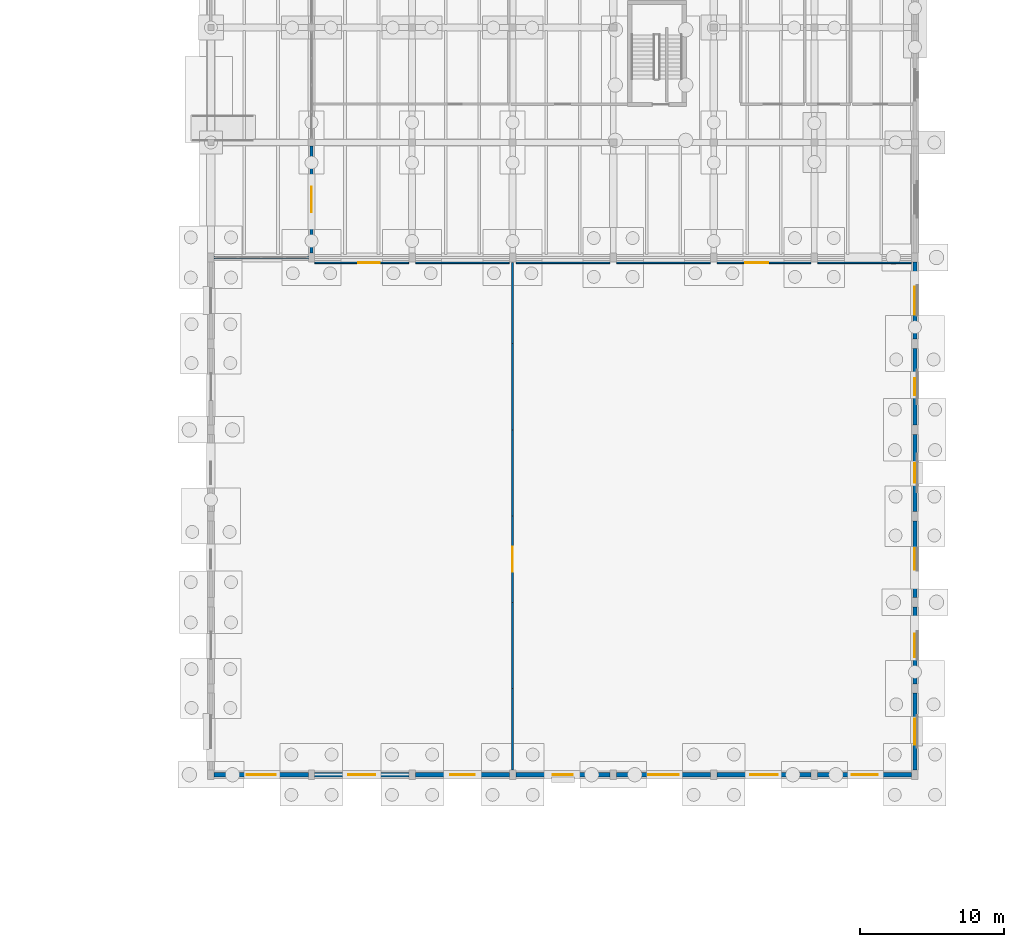
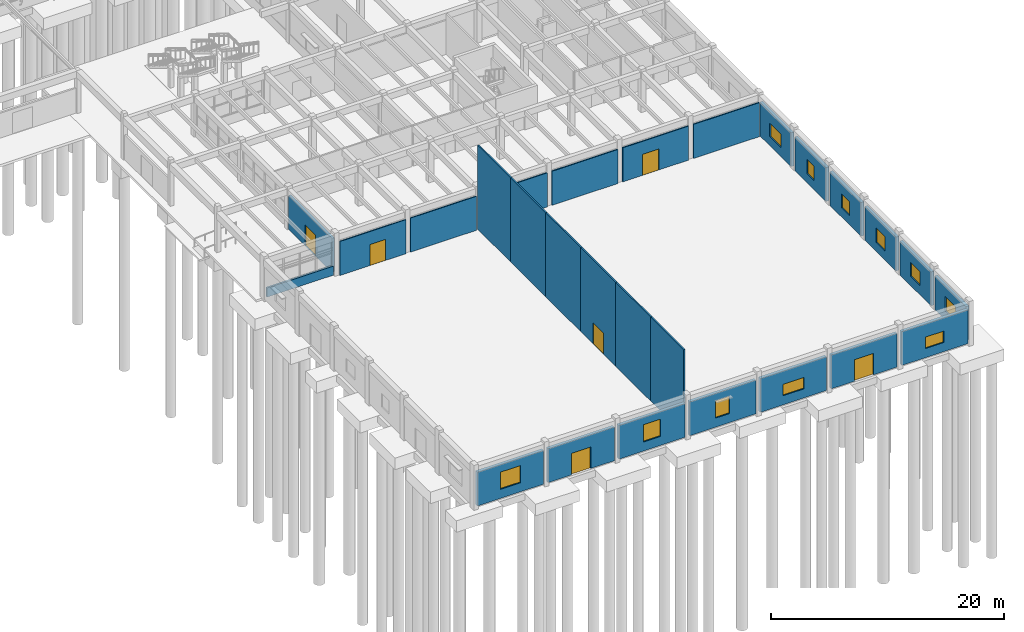
# One storey, part 68 of 99: 27 walls, 11 windows, 6 doors, 17 openings.
"""IFC4 building model written with IfcOpenShell, lengths in metres."""

from ifc_helpers import new_model, si_unit, direction, frame, frame_2d, origin, place, context, subcontext, project, spatial, rectangle, extrude, material, layer, layer_set, type_object, element, fill, save


model = new_model("IFC4")

# Units and contexts
model_context = context("Model", 3, precision=1e-05, world=origin(), true_north=direction((0.0, 1.0)))
body_context = subcontext(model_context, "Body", "Model", "MODEL_VIEW")
ifc_project = project(units=[si_unit("LENGTHUNIT", "METRE"), si_unit("AREAUNIT", "SQUARE_METRE"), si_unit("VOLUMEUNIT", "CUBIC_METRE"), si_unit("PLANEANGLEUNIT", "RADIAN"), si_unit("MASSUNIT", "GRAM", prefix="KILO")], contexts=[model_context])

# Site, building, storey
site_placement = place(None, origin())
site = spatial("IfcSite", under=ifc_project, at=site_placement, CompositionType="ELEMENT")
building_placement = place(site_placement, origin())
building = spatial("IfcBuilding", under=site, at=building_placement, Name="Tonlespit Floodbar School", CompositionType="ELEMENT")
storey_placement = place(building_placement, origin())
storey = spatial("IfcBuildingStorey", under=building, at=storey_placement, Name="L00", CompositionType="ELEMENT", Elevation=0.0)

# Wall, opening, window
ifc_material_1 = material(Name="Precast concrete C40/50", Category="concrete")
ifc_layer_1 = layer(ifc_material_1, 0.2900390625)
ifc_layer_set_1 = layer_set([ifc_layer_1], Name="Precast concrete C40/50")
wall_type_1 = type_object("IfcWallType", Name="ExtWall_Hall_Acoustic_290", PredefinedType="SOLIDWALL", material=ifc_layer_set_1)
wall_1_placement = place(storey_placement, frame((175.77490234375, 20.0, 0.0), z_axis=(0.0, 0.0, 1.0), x_axis=(-1.0, 0.0, 0.0)))
wall_1 = element("IfcWall", 1, at=wall_1_placement, inside=storey, type_object=wall_type_1, Name="L00 external wall 0454", PredefinedType="SOLIDWALL", context=body_context, shape_type="SweptSolid", body=[
    extrude(rectangle(XDim=6.5498046875, YDim=0.2900390625, at=frame_2d((3.27490234375, 0.0))), origin(), (0.0, 0.0, 1.0), 3.5400390625),
])
opening_1_placement = place(wall_1_placement, frame((2.375, 0.0, 0.949951171875)))
opening_1 = element("IfcOpeningElement", 2, at=opening_1_placement, cuts=wall_1, Name="Opening W-L00-055", PredefinedType="OPENING", context=body_context, shape_type="SweptSolid", body=[
    extrude(rectangle(XDim=1.800048828125, YDim=1.199951171875, at=frame_2d((0.89990234375, 0.60009765625))), frame((0.0, 0.155029296875, 0.0), z_axis=(0.0, -1.0, 0.0), x_axis=(1.0, 0.0, 0.0)), (0.0, 0.0, 1.0), 0.31005859375),
])
ifc_material_2 = material(Name="Tempered Double Glazing", Category="glass")
window_type_1 = type_object("IfcWindowType", Name="Win_Mod_1800x1200", PartitioningType="DOUBLE_PANEL_VERTICAL", PredefinedType="WINDOW", material=ifc_material_2)
window_1_placement = place(opening_1_placement, origin())
window_1 = element("IfcWindow", 3, at=window_1_placement, inside=storey, type_object=window_type_1, Name="L00 window W-L00-055", OverallHeight=1.199951171875, OverallWidth=1.800048828125, PartitioningType="DOUBLE_PANEL_VERTICAL", PredefinedType="WINDOW", context=body_context, shape_type="SweptSolid", body=[
    extrude(rectangle(XDim=1.800048828125, YDim=1.199951171875, at=frame_2d((0.89990234375, 0.60009765625))), frame((0.0, 0.030029296875, 0.0), z_axis=(0.0, -1.0, 0.0), x_axis=(1.0, 0.0, 0.0)), (0.0, 0.0, 1.0), 0.06005859375),
])
fill(opening_1, window_1)

# Wall, opening, door
wall_2_placement = place(storey_placement, frame((168.77490234375, 20.0, 0.0), z_axis=(0.0, 0.0, 1.0), x_axis=(-1.0, 0.0, 0.0)))
wall_2 = element("IfcWall", 4, at=wall_2_placement, inside=storey, type_object=wall_type_1, Name="L00 external wall 0456", PredefinedType="SOLIDWALL", context=body_context, shape_type="SweptSolid", body=[
    extrude(rectangle(XDim=6.5498046875, YDim=0.2900390625, at=frame_2d((3.27490234375, 0.0))), origin(), (0.0, 0.0, 1.0), 3.5400390625),
])
opening_2_placement = place(wall_2_placement, frame((2.324951171875, 0.0, 0.0)))
opening_2 = element("IfcOpeningElement", 5, at=opening_2_placement, cuts=wall_2, Name="Opening D-EX-021", PredefinedType="OPENING", context=body_context, shape_type="SweptSolid", body=[
    extrude(rectangle(XDim=1.89990234375, YDim=2.25, at=frame_2d((0.949951171875, 1.125))), frame((0.0, 0.155029296875, 0.0), z_axis=(0.0, -1.0, 0.0), x_axis=(1.0, 0.0, 0.0)), (0.0, 0.0, 1.0), 0.31005859375),
])
ifc_material_3 = material(Name="Anodised Aluminium", Category="aluminium")
door_type_1 = type_object("IfcDoorType", Name="ExtDoor_Exit_1900x2250", OperationType="NOTDEFINED", PredefinedType="DOOR", material=ifc_material_3)
door_1_placement = place(opening_2_placement, origin())
door_1 = element("IfcDoor", 6, at=door_1_placement, inside=storey, type_object=door_type_1, Name="Final exit door D-EX-021", OperationType="SINGLE_SWING_LEFT", OverallHeight=2.25, OverallWidth=1.89990234375, PredefinedType="DOOR", context=body_context, shape_type="SweptSolid", body=[
    extrude(rectangle(XDim=1.89990234375, YDim=2.25, at=frame_2d((0.949951171875, 1.125))), frame((0.0, 0.02490234375, 0.0), z_axis=(0.0, -1.0, 0.0), x_axis=(1.0, 0.0, 0.0)), (0.0, 0.0, 1.0), 0.050048828125),
])
fill(opening_2, door_1)

# Wall, opening, window
wall_3_placement = place(storey_placement, frame((161.77490234375, 20.0, 0.0), z_axis=(0.0, 0.0, 1.0), x_axis=(-1.0, 0.0, 0.0)))
wall_3 = element("IfcWall", 7, at=wall_3_placement, inside=storey, type_object=wall_type_1, Name="L00 external wall 0458", PredefinedType="SOLIDWALL", context=body_context, shape_type="SweptSolid", body=[
    extrude(rectangle(XDim=6.5498046875, YDim=0.2900390625, at=frame_2d((3.27490234375, 0.0))), origin(), (0.0, 0.0, 1.0), 3.5400390625),
])
opening_3_placement = place(wall_3_placement, frame((2.22509765625, 0.0, 0.949951171875)))
opening_3 = element("IfcOpeningElement", 8, at=opening_3_placement, cuts=wall_3, Name="Opening W-L00-056", PredefinedType="OPENING", context=body_context, shape_type="SweptSolid", body=[
    extrude(rectangle(XDim=2.10009765625, YDim=1.199951171875, at=frame_2d((1.050048828125, 0.60009765625))), frame((0.0, 0.155029296875, 0.0), z_axis=(0.0, -1.0, 0.0), x_axis=(1.0, 0.0, 0.0)), (0.0, 0.0, 1.0), 0.31005859375),
])
window_type_2 = type_object("IfcWindowType", Name="Win_Mod_2100x1200", PartitioningType="DOUBLE_PANEL_VERTICAL", PredefinedType="WINDOW", material=ifc_material_2)
window_2_placement = place(opening_3_placement, origin())
window_2 = element("IfcWindow", 9, at=window_2_placement, inside=storey, type_object=window_type_2, Name="L00 window W-L00-056", OverallHeight=1.199951171875, OverallWidth=2.10009765625, PartitioningType="DOUBLE_PANEL_VERTICAL", PredefinedType="WINDOW", context=body_context, shape_type="SweptSolid", body=[
    extrude(rectangle(XDim=2.10009765625, YDim=1.199951171875, at=frame_2d((1.050048828125, 0.60009765625))), frame((0.0, 0.030029296875, 0.0), z_axis=(0.0, -1.0, 0.0), x_axis=(1.0, 0.0, 0.0)), (0.0, 0.0, 1.0), 0.06005859375),
])
fill(opening_3, window_2)

wall_4_placement = place(storey_placement, frame((154.77490234375, 20.0, 0.0), z_axis=(0.0, 0.0, 1.0), x_axis=(-1.0, 0.0, 0.0)))
wall_4 = element("IfcWall", 10, at=wall_4_placement, inside=storey, type_object=wall_type_1, Name="L00 external wall 0460", PredefinedType="SOLIDWALL", context=body_context, shape_type="SweptSolid", body=[
    extrude(rectangle(XDim=6.5498046875, YDim=0.2900390625, at=frame_2d((3.27490234375, 0.0))), origin(), (0.0, 0.0, 1.0), 3.5400390625),
])
opening_4_placement = place(wall_4_placement, frame((2.574951171875, 0.0, 0.949951171875)))
opening_4 = element("IfcOpeningElement", 11, at=opening_4_placement, cuts=wall_4, Name="Opening W-L00-057", PredefinedType="OPENING", context=body_context, shape_type="SweptSolid", body=[
    extrude(rectangle(XDim=1.39990234375, YDim=1.800048828125, at=frame_2d((0.699951171875, 0.89990234375))), frame((0.0, 0.155029296875, 0.0), z_axis=(0.0, -1.0, 0.0), x_axis=(1.0, 0.0, 0.0)), (0.0, 0.0, 1.0), 0.31005859375),
])
window_type_3 = type_object("IfcWindowType", Name="Win_Mod_1400x1800", PartitioningType="SINGLE_PANEL", PredefinedType="WINDOW", material=ifc_material_2)
window_3_placement = place(opening_4_placement, origin())
window_3 = element("IfcWindow", 12, at=window_3_placement, inside=storey, type_object=window_type_3, Name="L00 window W-L00-057", OverallHeight=1.800048828125, OverallWidth=1.39990234375, PartitioningType="SINGLE_PANEL", PredefinedType="WINDOW", context=body_context, shape_type="SweptSolid", body=[
    extrude(rectangle(XDim=1.39990234375, YDim=1.800048828125, at=frame_2d((0.699951171875, 0.89990234375))), frame((0.0, 0.030029296875, 0.0), z_axis=(0.0, -1.0, 0.0), x_axis=(1.0, 0.0, 0.0)), (0.0, 0.0, 1.0), 0.06005859375),
])
fill(opening_4, window_3)

wall_5_placement = place(storey_placement, frame((147.77490234375, 20.0, 0.0), z_axis=(0.0, 0.0, 1.0), x_axis=(-1.0, 0.0, 0.0)))
wall_5 = element("IfcWall", 13, at=wall_5_placement, inside=storey, type_object=wall_type_1, Name="L00 external wall 0462", PredefinedType="SOLIDWALL", context=body_context, shape_type="SweptSolid", body=[
    extrude(rectangle(XDim=6.5498046875, YDim=0.2900390625, at=frame_2d((3.27490234375, 0.0))), origin(), (0.0, 0.0, 1.0), 3.5400390625),
])
opening_5_placement = place(wall_5_placement, frame((2.425048828125, 0.0, 0.949951171875)))
opening_5 = element("IfcOpeningElement", 14, at=opening_5_placement, cuts=wall_5, Name="Opening W-L00-058", PredefinedType="OPENING", context=body_context, shape_type="SweptSolid", body=[
    extrude(rectangle(XDim=1.699951171875, YDim=1.800048828125, at=frame_2d((0.85009765625, 0.89990234375))), frame((0.0, 0.155029296875, 0.0), z_axis=(0.0, -1.0, 0.0), x_axis=(1.0, 0.0, 0.0)), (0.0, 0.0, 1.0), 0.31005859375),
])
window_type_4 = type_object("IfcWindowType", Name="Win_Mod_1700x1800", PartitioningType="DOUBLE_PANEL_VERTICAL", PredefinedType="WINDOW", material=ifc_material_2)
window_4_placement = place(opening_5_placement, origin())
window_4 = element("IfcWindow", 15, at=window_4_placement, inside=storey, type_object=window_type_4, Name="L00 window W-L00-058", OverallHeight=1.800048828125, OverallWidth=1.699951171875, PartitioningType="DOUBLE_PANEL_VERTICAL", PredefinedType="WINDOW", context=body_context, shape_type="SweptSolid", body=[
    extrude(rectangle(XDim=1.699951171875, YDim=1.800048828125, at=frame_2d((0.85009765625, 0.89990234375))), frame((0.0, 0.030029296875, 0.0), z_axis=(0.0, -1.0, 0.0), x_axis=(1.0, 0.0, 0.0)), (0.0, 0.0, 1.0), 0.06005859375),
])
fill(opening_5, window_4)

# Wall, opening, door
wall_6_placement = place(storey_placement, frame((140.77490234375, 20.0, 0.0), z_axis=(0.0, 0.0, 1.0), x_axis=(-1.0, 0.0, 0.0)))
wall_6 = element("IfcWall", 16, at=wall_6_placement, inside=storey, type_object=wall_type_1, Name="L00 external wall 0464", PredefinedType="SOLIDWALL", context=body_context, shape_type="SweptSolid", body=[
    extrude(rectangle(XDim=6.5498046875, YDim=0.2900390625, at=frame_2d((3.27490234375, 0.0))), origin(), (0.0, 0.0, 1.0), 3.5400390625),
])
opening_6_placement = place(wall_6_placement, frame((2.324951171875, 0.0, 0.0)))
opening_6 = element("IfcOpeningElement", 17, at=opening_6_placement, cuts=wall_6, Name="Opening D-EX-022", PredefinedType="OPENING", context=body_context, shape_type="SweptSolid", body=[
    extrude(rectangle(XDim=1.89990234375, YDim=2.25, at=frame_2d((0.949951171875, 1.125))), frame((0.0, 0.155029296875, 0.0), z_axis=(0.0, -1.0, 0.0), x_axis=(1.0, 0.0, 0.0)), (0.0, 0.0, 1.0), 0.31005859375),
])
door_2_placement = place(opening_6_placement, origin())
door_2 = element("IfcDoor", 18, at=door_2_placement, inside=storey, type_object=door_type_1, Name="Final exit door D-EX-022", OperationType="SINGLE_SWING_RIGHT", OverallHeight=2.25, OverallWidth=1.89990234375, PredefinedType="DOOR", context=body_context, shape_type="SweptSolid", body=[
    extrude(rectangle(XDim=1.89990234375, YDim=2.25, at=frame_2d((0.949951171875, 1.125))), frame((0.0, 0.02490234375, 0.0), z_axis=(0.0, -1.0, 0.0), x_axis=(1.0, 0.0, 0.0)), (0.0, 0.0, 1.0), 0.050048828125),
])
fill(opening_6, door_2)

# Wall, opening, window
wall_7_placement = place(storey_placement, frame((133.77490234375, 20.0, 0.0), z_axis=(0.0, 0.0, 1.0), x_axis=(-1.0, 0.0, 0.0)))
wall_7 = element("IfcWall", 19, at=wall_7_placement, inside=storey, type_object=wall_type_1, Name="L00 external wall 0466", PredefinedType="SOLIDWALL", context=body_context, shape_type="SweptSolid", body=[
    extrude(rectangle(XDim=6.5498046875, YDim=0.2900390625, at=frame_2d((3.27490234375, 0.0))), origin(), (0.0, 0.0, 1.0), 3.5400390625),
])
opening_7_placement = place(wall_7_placement, frame((2.27490234375, 0.0, 0.949951171875)))
opening_7 = element("IfcOpeningElement", 20, at=opening_7_placement, cuts=wall_7, Name="Opening W-L00-059", PredefinedType="OPENING", context=body_context, shape_type="SweptSolid", body=[
    extrude(rectangle(XDim=2.0, YDim=1.800048828125, at=frame_2d((1.0, 0.89990234375))), frame((0.0, 0.155029296875, 0.0), z_axis=(0.0, -1.0, 0.0), x_axis=(1.0, 0.0, 0.0)), (0.0, 0.0, 1.0), 0.31005859375),
])
window_type_5 = type_object("IfcWindowType", Name="Win_Mod_2000x1800", PartitioningType="DOUBLE_PANEL_VERTICAL", PredefinedType="WINDOW", material=ifc_material_2)
window_5_placement = place(opening_7_placement, origin())
window_5 = element("IfcWindow", 21, at=window_5_placement, inside=storey, type_object=window_type_5, Name="L00 window W-L00-059", OverallHeight=1.800048828125, OverallWidth=2.0, PartitioningType="DOUBLE_PANEL_VERTICAL", PredefinedType="WINDOW", context=body_context, shape_type="SweptSolid", body=[
    extrude(rectangle(XDim=2.0, YDim=1.800048828125, at=frame_2d((1.0, 0.89990234375))), frame((0.0, 0.030029296875, 0.0), z_axis=(0.0, -1.0, 0.0), x_axis=(1.0, 0.0, 0.0)), (0.0, 0.0, 1.0), 0.06005859375),
])
fill(opening_7, window_5)

wall_8_placement = place(storey_placement, frame((176.0, 55.675048828125, 0.0), z_axis=(0.0, 0.0, 1.0), x_axis=(0.0, -1.0, 0.0)))
wall_8 = element("IfcWall", 22, at=wall_8_placement, inside=storey, type_object=wall_type_1, Name="L00 external wall 0480", PredefinedType="SOLIDWALL", context=body_context, shape_type="SweptSolid", body=[
    extrude(rectangle(XDim=5.35009765625, YDim=0.2900390625, at=frame_2d((2.675048828125, 0.0))), origin(), (0.0, 0.0, 1.0), 3.5400390625),
])
opening_8_placement = place(wall_8_placement, frame((1.699951171875, 0.0, 0.949951171875)))
opening_8 = element("IfcOpeningElement", 23, at=opening_8_placement, cuts=wall_8, Name="Opening W-L00-064", PredefinedType="OPENING", context=body_context, shape_type="SweptSolid", body=[
    extrude(rectangle(XDim=1.949951171875, YDim=1.39990234375, at=frame_2d((0.97509765625, 0.699951171875))), frame((0.0, 0.155029296875, 0.0), z_axis=(0.0, -1.0, 0.0), x_axis=(1.0, 0.0, 0.0)), (0.0, 0.0, 1.0), 0.31005859375),
])
window_type_6 = type_object("IfcWindowType", Name="Win_Mod_1950x1400", PartitioningType="DOUBLE_PANEL_VERTICAL", PredefinedType="WINDOW", material=ifc_material_2)
window_6_placement = place(opening_8_placement, origin())
window_6 = element("IfcWindow", 24, at=window_6_placement, inside=storey, type_object=window_type_6, Name="L00 window W-L00-064", OverallHeight=1.39990234375, OverallWidth=1.949951171875, PartitioningType="DOUBLE_PANEL_VERTICAL", PredefinedType="WINDOW", context=body_context, shape_type="SweptSolid", body=[
    extrude(rectangle(XDim=1.949951171875, YDim=1.39990234375, at=frame_2d((0.97509765625, 0.699951171875))), frame((0.0, 0.030029296875, 0.0), z_axis=(0.0, -1.0, 0.0), x_axis=(1.0, 0.0, 0.0)), (0.0, 0.0, 1.0), 0.06005859375),
])
fill(opening_8, window_6)

wall_9_placement = place(storey_placement, frame((176.0, 49.675048828125, 0.0), z_axis=(0.0, 0.0, 1.0), x_axis=(0.0, -1.0, 0.0)))
wall_9 = element("IfcWall", 25, at=wall_9_placement, inside=storey, type_object=wall_type_1, Name="L00 external wall 0482", PredefinedType="SOLIDWALL", context=body_context, shape_type="SweptSolid", body=[
    extrude(rectangle(XDim=5.35009765625, YDim=0.2900390625, at=frame_2d((2.675048828125, 0.0))), origin(), (0.0, 0.0, 1.0), 3.5400390625),
])
opening_9_placement = place(wall_9_placement, frame((2.074951171875, 0.0, 0.949951171875)))
opening_9 = element("IfcOpeningElement", 26, at=opening_9_placement, cuts=wall_9, Name="Opening W-L00-065", PredefinedType="OPENING", context=body_context, shape_type="SweptSolid", body=[
    extrude(rectangle(XDim=1.199951171875, YDim=1.5, at=frame_2d((0.60009765625, 0.75))), frame((0.0, 0.155029296875, 0.0), z_axis=(0.0, -1.0, 0.0), x_axis=(1.0, 0.0, 0.0)), (0.0, 0.0, 1.0), 0.31005859375),
])
window_type_7 = type_object("IfcWindowType", Name="Win_Mod_1200x1500", PartitioningType="SINGLE_PANEL", PredefinedType="WINDOW", material=ifc_material_2)
window_7_placement = place(opening_9_placement, origin())
window_7 = element("IfcWindow", 27, at=window_7_placement, inside=storey, type_object=window_type_7, Name="L00 window W-L00-065", OverallHeight=1.5, OverallWidth=1.199951171875, PartitioningType="SINGLE_PANEL", PredefinedType="WINDOW", context=body_context, shape_type="SweptSolid", body=[
    extrude(rectangle(XDim=1.199951171875, YDim=1.5, at=frame_2d((0.60009765625, 0.75))), frame((0.0, 0.030029296875, 0.0), z_axis=(0.0, -1.0, 0.0), x_axis=(1.0, 0.0, 0.0)), (0.0, 0.0, 1.0), 0.06005859375),
])
fill(opening_9, window_7)

wall_10_placement = place(storey_placement, frame((176.0, 43.675048828125, 0.0), z_axis=(0.0, 0.0, 1.0), x_axis=(0.0, -1.0, 0.0)))
wall_10 = element("IfcWall", 28, at=wall_10_placement, inside=storey, type_object=wall_type_1, Name="L00 external wall 0484", PredefinedType="SOLIDWALL", context=body_context, shape_type="SweptSolid", body=[
    extrude(rectangle(XDim=5.35009765625, YDim=0.2900390625, at=frame_2d((2.675048828125, 0.0))), origin(), (0.0, 0.0, 1.0), 3.5400390625),
])
opening_10_placement = place(wall_10_placement, frame((2.0, 0.0, 0.949951171875)))
opening_10 = element("IfcOpeningElement", 29, at=opening_10_placement, cuts=wall_10, Name="Opening W-L00-066", PredefinedType="OPENING", context=body_context, shape_type="SweptSolid", body=[
    extrude(rectangle(XDim=1.35009765625, YDim=1.5, at=frame_2d((0.675048828125, 0.75))), frame((0.0, 0.155029296875, 0.0), z_axis=(0.0, -1.0, 0.0), x_axis=(1.0, 0.0, 0.0)), (0.0, 0.0, 1.0), 0.31005859375),
])
window_type_8 = type_object("IfcWindowType", Name="Win_Mod_1350x1500", PartitioningType="SINGLE_PANEL", PredefinedType="WINDOW", material=ifc_material_2)
window_8_placement = place(opening_10_placement, origin())
window_8 = element("IfcWindow", 30, at=window_8_placement, inside=storey, type_object=window_type_8, Name="L00 window W-L00-066", OverallHeight=1.5, OverallWidth=1.35009765625, PartitioningType="SINGLE_PANEL", PredefinedType="WINDOW", context=body_context, shape_type="SweptSolid", body=[
    extrude(rectangle(XDim=1.35009765625, YDim=1.5, at=frame_2d((0.675048828125, 0.75))), frame((0.0, 0.030029296875, 0.0), z_axis=(0.0, -1.0, 0.0), x_axis=(1.0, 0.0, 0.0)), (0.0, 0.0, 1.0), 0.06005859375),
])
fill(opening_10, window_8)

wall_11_placement = place(storey_placement, frame((176.0, 37.675048828125, 0.0), z_axis=(0.0, 0.0, 1.0), x_axis=(0.0, -1.0, 0.0)))
wall_11 = element("IfcWall", 31, at=wall_11_placement, inside=storey, type_object=wall_type_1, Name="L00 external wall 0486", PredefinedType="SOLIDWALL", context=body_context, shape_type="SweptSolid", body=[
    extrude(rectangle(XDim=5.35009765625, YDim=0.2900390625, at=frame_2d((2.675048828125, 0.0))), origin(), (0.0, 0.0, 1.0), 3.5400390625),
])
opening_11_placement = place(wall_11_placement, frame((1.925048828125, 0.0, 0.949951171875)))
opening_11 = element("IfcOpeningElement", 32, at=opening_11_placement, cuts=wall_11, Name="Opening W-L00-067", PredefinedType="OPENING", context=body_context, shape_type="SweptSolid", body=[
    extrude(rectangle(XDim=1.5, YDim=1.5, at=frame_2d((0.75, 0.75))), frame((0.0, 0.155029296875, 0.0), z_axis=(0.0, -1.0, 0.0), x_axis=(1.0, 0.0, 0.0)), (0.0, 0.0, 1.0), 0.31005859375),
])
window_type_9 = type_object("IfcWindowType", Name="Win_Mod_1500x1500", PartitioningType="SINGLE_PANEL", PredefinedType="WINDOW", material=ifc_material_2)
window_9_placement = place(opening_11_placement, origin())
window_9 = element("IfcWindow", 33, at=window_9_placement, inside=storey, type_object=window_type_9, Name="L00 window W-L00-067", OverallHeight=1.5, OverallWidth=1.5, PartitioningType="SINGLE_PANEL", PredefinedType="WINDOW", context=body_context, shape_type="SweptSolid", body=[
    extrude(rectangle(XDim=1.5, YDim=1.5, at=frame_2d((0.75, 0.75))), frame((0.0, 0.030029296875, 0.0), z_axis=(0.0, -1.0, 0.0), x_axis=(1.0, 0.0, 0.0)), (0.0, 0.0, 1.0), 0.06005859375),
])
fill(opening_11, window_9)

wall_12_placement = place(storey_placement, frame((176.0, 31.675048828125, 0.0), z_axis=(0.0, 0.0, 1.0), x_axis=(0.0, -1.0, 0.0)))
wall_12 = element("IfcWall", 34, at=wall_12_placement, inside=storey, type_object=wall_type_1, Name="L00 external wall 0488", PredefinedType="SOLIDWALL", context=body_context, shape_type="SweptSolid", body=[
    extrude(rectangle(XDim=5.35009765625, YDim=0.2900390625, at=frame_2d((2.675048828125, 0.0))), origin(), (0.0, 0.0, 1.0), 3.5400390625),
])
opening_12_placement = place(wall_12_placement, frame((1.85009765625, 0.0, 0.949951171875)))
opening_12 = element("IfcOpeningElement", 35, at=opening_12_placement, cuts=wall_12, Name="Opening W-L00-068", PredefinedType="OPENING", context=body_context, shape_type="SweptSolid", body=[
    extrude(rectangle(XDim=1.64990234375, YDim=1.5, at=frame_2d((0.824951171875, 0.75))), frame((0.0, 0.155029296875, 0.0), z_axis=(0.0, -1.0, 0.0), x_axis=(1.0, 0.0, 0.0)), (0.0, 0.0, 1.0), 0.31005859375),
])
window_type_10 = type_object("IfcWindowType", Name="Win_Mod_1650x1500", PartitioningType="DOUBLE_PANEL_VERTICAL", PredefinedType="WINDOW", material=ifc_material_2)
window_10_placement = place(opening_12_placement, origin())
window_10 = element("IfcWindow", 36, at=window_10_placement, inside=storey, type_object=window_type_10, Name="L00 window W-L00-068", OverallHeight=1.5, OverallWidth=1.64990234375, PartitioningType="DOUBLE_PANEL_VERTICAL", PredefinedType="WINDOW", context=body_context, shape_type="SweptSolid", body=[
    extrude(rectangle(XDim=1.64990234375, YDim=1.5, at=frame_2d((0.824951171875, 0.75))), frame((0.0, 0.030029296875, 0.0), z_axis=(0.0, -1.0, 0.0), x_axis=(1.0, 0.0, 0.0)), (0.0, 0.0, 1.0), 0.06005859375),
])
fill(opening_12, window_10)

wall_13_placement = place(storey_placement, frame((176.0, 25.675048828125, 0.0), z_axis=(0.0, 0.0, 1.0), x_axis=(0.0, -1.0, 0.0)))
wall_13 = element("IfcWall", 37, at=wall_13_placement, inside=storey, type_object=wall_type_1, Name="L00 external wall 0490", PredefinedType="SOLIDWALL", context=body_context, shape_type="SweptSolid", body=[
    extrude(rectangle(XDim=5.35009765625, YDim=0.2900390625, at=frame_2d((2.675048828125, 0.0))), origin(), (0.0, 0.0, 1.0), 3.5400390625),
])
opening_13_placement = place(wall_13_placement, frame((1.77490234375, 0.0, 0.949951171875)))
opening_13 = element("IfcOpeningElement", 38, at=opening_13_placement, cuts=wall_13, Name="Opening W-L00-069", PredefinedType="OPENING", context=body_context, shape_type="SweptSolid", body=[
    extrude(rectangle(XDim=1.800048828125, YDim=1.5, at=frame_2d((0.89990234375, 0.75))), frame((0.0, 0.155029296875, 0.0), z_axis=(0.0, -1.0, 0.0), x_axis=(1.0, 0.0, 0.0)), (0.0, 0.0, 1.0), 0.31005859375),
])
window_type_11 = type_object("IfcWindowType", Name="Win_Mod_1800x1500", PartitioningType="DOUBLE_PANEL_VERTICAL", PredefinedType="WINDOW", material=ifc_material_2)
window_11_placement = place(opening_13_placement, origin())
window_11 = element("IfcWindow", 39, at=window_11_placement, inside=storey, type_object=window_type_11, Name="L00 window W-L00-069", OverallHeight=1.5, OverallWidth=1.800048828125, PartitioningType="DOUBLE_PANEL_VERTICAL", PredefinedType="WINDOW", context=body_context, shape_type="SweptSolid", body=[
    extrude(rectangle(XDim=1.800048828125, YDim=1.5, at=frame_2d((0.89990234375, 0.75))), frame((0.0, 0.030029296875, 0.0), z_axis=(0.0, -1.0, 0.0), x_axis=(1.0, 0.0, 0.0)), (0.0, 0.0, 1.0), 0.06005859375),
])
fill(opening_13, window_11)

# Wall, opening, door
ifc_layer_2 = layer(ifc_material_1, 0.239990234375)
ifc_layer_set_2 = layer_set([ifc_layer_2], Name="Precast concrete C40/50")
wall_type_2 = type_object("IfcWallType", Name="ExtWall_Rainscreen_240", PredefinedType="SOLIDWALL", material=ifc_layer_set_2)
wall_14_placement = place(storey_placement, frame((134.0, 56.324951171875, 0.0), z_axis=(0.0, 0.0, 1.0), x_axis=(0.0, 1.0, 0.0)))
wall_14 = element("IfcWall", 40, at=wall_14_placement, inside=storey, type_object=wall_type_2, Name="L00 external wall 0494", PredefinedType="SOLIDWALL", context=body_context, shape_type="SweptSolid", body=[
    extrude(rectangle(XDim=7.425048828125, YDim=0.239990234375, at=frame_2d((3.71240234375, 0.0))), origin(), (0.0, 0.0, 1.0), 3.56494140625),
])
opening_14_placement = place(wall_14_placement, frame((2.8125, 0.0, 0.0)))
opening_14 = element("IfcOpeningElement", 41, at=opening_14_placement, cuts=wall_14, Name="Opening D-EX-025", PredefinedType="OPENING", context=body_context, shape_type="SweptSolid", body=[
    extrude(rectangle(XDim=1.800048828125, YDim=2.199951171875, at=frame_2d((0.89990234375, 1.10009765625))), frame((0.0, 0.1298828125, 0.0), z_axis=(0.0, -1.0, 0.0), x_axis=(1.0, 0.0, 0.0)), (0.0, 0.0, 1.0), 0.260009765625),
])
door_type_2 = type_object("IfcDoorType", Name="ExtDoor_Exit_1800x2200", OperationType="NOTDEFINED", PredefinedType="DOOR", material=ifc_material_3)
door_3_placement = place(opening_14_placement, origin())
door_3 = element("IfcDoor", 42, at=door_3_placement, inside=storey, type_object=door_type_2, Name="Final exit door D-EX-025", OperationType="SINGLE_SWING_LEFT", OverallHeight=2.199951171875, OverallWidth=1.800048828125, PredefinedType="DOOR", context=body_context, shape_type="SweptSolid", body=[
    extrude(rectangle(XDim=1.800048828125, YDim=2.199951171875, at=frame_2d((0.89990234375, 1.10009765625))), frame((0.0, 0.02490234375, 0.0), z_axis=(0.0, -1.0, 0.0), x_axis=(1.0, 0.0, 0.0)), (0.0, 0.0, 1.0), 0.050048828125),
])
fill(opening_14, door_3)

# Walls
ifc_material_4 = material(Name="White Architectural Precast concrete C40/50", Category="concrete")
ifc_layer_3 = layer(ifc_material_4, 0.18505859375)
ifc_layer_set_3 = layer_set([ifc_layer_3], Name="White Architectural Precast concrete C40/50")
wall_type_3 = type_object("IfcWallType", Name="ExtWall_Spandrel_White_185", PredefinedType="SOLIDWALL", material=ifc_layer_set_3)
wall_15_placement = place(storey_placement, frame((127.22509765625, 56.0, 0.0), z_axis=(0.0, 0.0, 1.0), x_axis=(1.0, 0.0, 0.0)))
element("IfcWall", 43, at=wall_15_placement, inside=storey, type_object=wall_type_3, Name="L00 spandrel wall 0492", PredefinedType="SOLIDWALL", context=body_context, shape_type="SweptSolid", body=[
    extrude(rectangle(XDim=6.5498046875, YDim=0.18505859375, at=frame_2d((3.27490234375, 0.0))), origin(), (0.0, 0.0, 1.0), 0.949951171875),
])
ifc_material_5 = material(Name="Hardwood Timber", Category="wood")
ifc_layer_4 = layer(ifc_material_5, 0.14501953125)
ifc_layer_set_4 = layer_set([ifc_layer_4], Name="Hardwood Timber")
wall_type_4 = type_object("IfcWallType", Name="MovableWall_Acoustic_145", PredefinedType="MOVABLE", material=ifc_layer_set_4)
wall_16_placement = place(storey_placement, frame((148.0, 20.340087890625, 0.0), z_axis=(0.0, 0.0, 1.0), x_axis=(0.0, 1.0, 0.0)))
element("IfcWall", 44, at=wall_16_placement, inside=storey, type_object=wall_type_4, Name="L00 partition wall 0001", PredefinedType="MOVABLE", context=body_context, shape_type="SweptSolid", body=[
    extrude(rectangle(XDim=5.659912109375, YDim=0.14501953125, at=frame_2d((2.830078125, 0.0))), origin(), (0.0, 0.0, 1.0), 8.800048828125),
])
wall_17_placement = place(storey_placement, frame((148.0, 26.0, 0.0), z_axis=(0.0, 0.0, 1.0), x_axis=(0.0, 1.0, 0.0)))
element("IfcWall", 45, at=wall_17_placement, inside=storey, type_object=wall_type_4, Name="L00 partition wall 0002", PredefinedType="MOVABLE", context=body_context, shape_type="SweptSolid", body=[
    extrude(rectangle(XDim=6.0, YDim=0.14501953125, at=frame_2d((3.0, 0.0))), origin(), (0.0, 0.0, 1.0), 8.800048828125),
])

# Wall, opening, door
wall_18_placement = place(storey_placement, frame((148.0, 32.0, 0.0), z_axis=(0.0, 0.0, 1.0), x_axis=(0.0, 1.0, 0.0)))
wall_18 = element("IfcWall", 46, at=wall_18_placement, inside=storey, type_object=wall_type_4, Name="L00 partition wall 0003", PredefinedType="MOVABLE", context=body_context, shape_type="SweptSolid", body=[
    extrude(rectangle(XDim=6.0, YDim=0.14501953125, at=frame_2d((3.0, 0.0))), origin(), (0.0, 0.0, 1.0), 8.800048828125),
])
opening_15_placement = place(wall_18_placement, frame((2.1201171875, 0.0, 0.0)))
opening_15 = element("IfcOpeningElement", 47, at=opening_15_placement, cuts=wall_18, Name="Opening D-L00-001", PredefinedType="OPENING", context=body_context, shape_type="SweptSolid", body=[
    extrude(rectangle(XDim=1.760009765625, YDim=2.199951171875, at=frame_2d((0.8798828125, 1.10009765625))), frame((0.0, 0.08251953125, 0.0), z_axis=(0.0, -1.0, 0.0), x_axis=(1.0, 0.0, 0.0)), (0.0, 0.0, 1.0), 0.1650390625),
])
door_type_3 = type_object("IfcDoorType", Name="IntDoor_1760x2200", OperationType="NOTDEFINED", PredefinedType="DOOR", material=ifc_material_5)
door_4_placement = place(opening_15_placement, origin())
door_4 = element("IfcDoor", 48, at=door_4_placement, inside=storey, type_object=door_type_3, Name="L00 interior door D-L00-001", OperationType="SINGLE_SWING_RIGHT", OverallHeight=2.199951171875, OverallWidth=1.760009765625, PredefinedType="DOOR", context=body_context, shape_type="SweptSolid", body=[
    extrude(rectangle(XDim=1.760009765625, YDim=2.199951171875, at=frame_2d((0.8798828125, 1.10009765625))), frame((0.0, 0.02490234375, 0.0), z_axis=(0.0, -1.0, 0.0), x_axis=(1.0, 0.0, 0.0)), (0.0, 0.0, 1.0), 0.050048828125),
])
fill(opening_15, door_4)

# Walls
for number, where, z_axis, x_axis, name in (
    (49, (148.0, 38.0, 0.0), (0.0, 0.0, 1.0), (0.0, 1.0, 0.0), "L00 partition wall 0004"),
    (50, (148.0, 44.0, 0.0), (0.0, 0.0, 1.0), (0.0, 1.0, 0.0), "L00 partition wall 0005"),
):
    element("IfcWall", number, at=place(storey_placement, frame(where, z_axis=z_axis, x_axis=x_axis)), inside=storey, type_object=wall_type_4, Name=name, PredefinedType="MOVABLE", context=body_context, shape_type="SweptSolid", body=[
        extrude(rectangle(XDim=6.0, YDim=0.14501953125, at=frame_2d((3.0, 0.0))), origin(), (0.0, 0.0, 1.0), 8.800048828125),
    ])
wall_19_placement = place(storey_placement, frame((148.0, 50.0, 0.0), z_axis=(0.0, 0.0, 1.0), x_axis=(0.0, 1.0, 0.0)))
element("IfcWall", 51, at=wall_19_placement, inside=storey, type_object=wall_type_4, Name="L00 partition wall 0006", PredefinedType="MOVABLE", context=body_context, shape_type="SweptSolid", body=[
    extrude(rectangle(XDim=5.659912109375, YDim=0.14501953125, at=frame_2d((2.830078125, 0.0))), origin(), (0.0, 0.0, 1.0), 8.800048828125),
])

# Wall, opening, door
ifc_material_6 = material(Name="Gypsum Plasterboard Partition")
ifc_layer_5 = layer(ifc_material_6, 0.10009765625)
ifc_layer_set_5 = layer_set([ifc_layer_5], Name="Gypsum Plasterboard Partition")
wall_type_5 = type_object("IfcWallType", Name="Partition_Gyp_100", PredefinedType="PARTITIONING", material=ifc_layer_set_5)
wall_20_placement = place(storey_placement, frame((134.239990234375, 55.6298828125, 0.0), z_axis=(0.0, 0.0, 1.0), x_axis=(1.0, 0.0, 0.0)))
wall_20 = element("IfcWall", 52, at=wall_20_placement, inside=storey, type_object=wall_type_5, Name="L00 partition wall 0274", PredefinedType="PARTITIONING", context=body_context, shape_type="SweptSolid", body=[
    extrude(rectangle(XDim=6.52001953125, YDim=0.10009765625, at=frame_2d((3.260009765625, 0.0))), origin(), (0.0, 0.0, 1.0), 3.56494140625),
])
opening_16_placement = place(wall_20_placement, frame((3.0, 0.0, 0.0)))
opening_16 = element("IfcOpeningElement", 53, at=opening_16_placement, cuts=wall_20, Name="Opening D-L00-080", PredefinedType="OPENING", context=body_context, shape_type="SweptSolid", body=[
    extrude(rectangle(XDim=1.52001953125, YDim=2.199951171875, at=frame_2d((0.760009765625, 1.10009765625))), frame((0.0, 0.06005859375, 0.0), z_axis=(0.0, -1.0, 0.0), x_axis=(1.0, 0.0, 0.0)), (0.0, 0.0, 1.0), 0.1201171875),
])
door_type_4 = type_object("IfcDoorType", Name="IntDoor_1520x2200", OperationType="NOTDEFINED", PredefinedType="DOOR", material=ifc_material_5)
door_5_placement = place(opening_16_placement, origin())
door_5 = element("IfcDoor", 54, at=door_5_placement, inside=storey, type_object=door_type_4, Name="L00 interior door D-L00-080", OperationType="SINGLE_SWING_LEFT", OverallHeight=2.199951171875, OverallWidth=1.52001953125, PredefinedType="DOOR", context=body_context, shape_type="SweptSolid", body=[
    extrude(rectangle(XDim=1.52001953125, YDim=2.199951171875, at=frame_2d((0.760009765625, 1.10009765625))), frame((0.0, 0.02490234375, 0.0), z_axis=(0.0, -1.0, 0.0), x_axis=(1.0, 0.0, 0.0)), (0.0, 0.0, 1.0), 0.050048828125),
])
fill(opening_16, door_5)

# Walls
wall_21_placement = place(storey_placement, frame((141.239990234375, 55.6298828125, 0.0), z_axis=(0.0, 0.0, 1.0), x_axis=(1.0, 0.0, 0.0)))
element("IfcWall", 55, at=wall_21_placement, inside=storey, type_object=wall_type_5, Name="L00 partition wall 0275", PredefinedType="PARTITIONING", context=body_context, shape_type="SweptSolid", body=[
    extrude(rectangle(XDim=6.52001953125, YDim=0.10009765625, at=frame_2d((3.260009765625, 0.0))), origin(), (0.0, 0.0, 1.0), 3.56494140625),
])
ifc_layer_6 = layer(ifc_material_6, 0.110107421875)
ifc_layer_set_6 = layer_set([ifc_layer_6], Name="Gypsum Plasterboard Partition")
wall_type_6 = type_object("IfcWallType", Name="Partition_Gyp_110", PredefinedType="PARTITIONING", material=ifc_layer_set_6)
for number, where, z_axis, x_axis, name in (
    (56, (148.239990234375, 55.6298828125, 0.0), (0.0, 0.0, 1.0), (1.0, 0.0, 0.0), "L00 partition wall 0276"),
    (57, (155.239990234375, 55.6298828125, 0.0), (0.0, 0.0, 1.0), (1.0, 0.0, 0.0), "L00 partition wall 0277"),
):
    element("IfcWall", number, at=place(storey_placement, frame(where, z_axis=z_axis, x_axis=x_axis)), inside=storey, type_object=wall_type_6, Name=name, PredefinedType="PARTITIONING", context=body_context, shape_type="SweptSolid", body=[
        extrude(rectangle(XDim=6.52001953125, YDim=0.110107421875, at=frame_2d((3.260009765625, 0.0))), origin(), (0.0, 0.0, 1.0), 3.56494140625),
    ])

# Wall, opening, door
wall_22_placement = place(storey_placement, frame((162.239990234375, 55.6298828125, 0.0), z_axis=(0.0, 0.0, 1.0), x_axis=(1.0, 0.0, 0.0)))
wall_22 = element("IfcWall", 58, at=wall_22_placement, inside=storey, type_object=wall_type_6, Name="L00 partition wall 0278", PredefinedType="PARTITIONING", context=body_context, shape_type="SweptSolid", body=[
    extrude(rectangle(XDim=6.52001953125, YDim=0.110107421875, at=frame_2d((3.260009765625, 0.0))), origin(), (0.0, 0.0, 1.0), 3.56494140625),
])
opening_17_placement = place(wall_22_placement, frame((1.9599609375, 0.0, 0.0)))
opening_17 = element("IfcOpeningElement", 59, at=opening_17_placement, cuts=wall_22, Name="Opening D-L00-081", PredefinedType="OPENING", context=body_context, shape_type="SweptSolid", body=[
    extrude(rectangle(XDim=1.60009765625, YDim=2.199951171875, at=frame_2d((0.800048828125, 1.10009765625))), frame((0.0, 0.06494140625, 0.0), z_axis=(0.0, -1.0, 0.0), x_axis=(1.0, 0.0, 0.0)), (0.0, 0.0, 1.0), 0.130126953125),
])
door_type_5 = type_object("IfcDoorType", Name="IntDoor_1600x2200", OperationType="NOTDEFINED", PredefinedType="DOOR", material=ifc_material_5)
door_6_placement = place(opening_17_placement, origin())
door_6 = element("IfcDoor", 60, at=door_6_placement, inside=storey, type_object=door_type_5, Name="L00 interior door D-L00-081", OperationType="SINGLE_SWING_RIGHT", OverallHeight=2.199951171875, OverallWidth=1.60009765625, PredefinedType="DOOR", context=body_context, shape_type="SweptSolid", body=[
    extrude(rectangle(XDim=1.60009765625, YDim=2.199951171875, at=frame_2d((0.800048828125, 1.10009765625))), frame((0.0, 0.02490234375, 0.0), z_axis=(0.0, -1.0, 0.0), x_axis=(1.0, 0.0, 0.0)), (0.0, 0.0, 1.0), 0.050048828125),
])
fill(opening_17, door_6)

# Wall
wall_23_placement = place(storey_placement, frame((169.239990234375, 55.6298828125, 0.0), z_axis=(0.0, 0.0, 1.0), x_axis=(1.0, 0.0, 0.0)))
element("IfcWall", 61, at=wall_23_placement, inside=storey, type_object=wall_type_6, Name="L00 partition wall 0279", PredefinedType="PARTITIONING", context=body_context, shape_type="SweptSolid", body=[
    extrude(rectangle(XDim=6.52001953125, YDim=0.110107421875, at=frame_2d((3.260009765625, 0.0))), origin(), (0.0, 0.0, 1.0), 3.56494140625),
])

save(model, "model.ifc")
